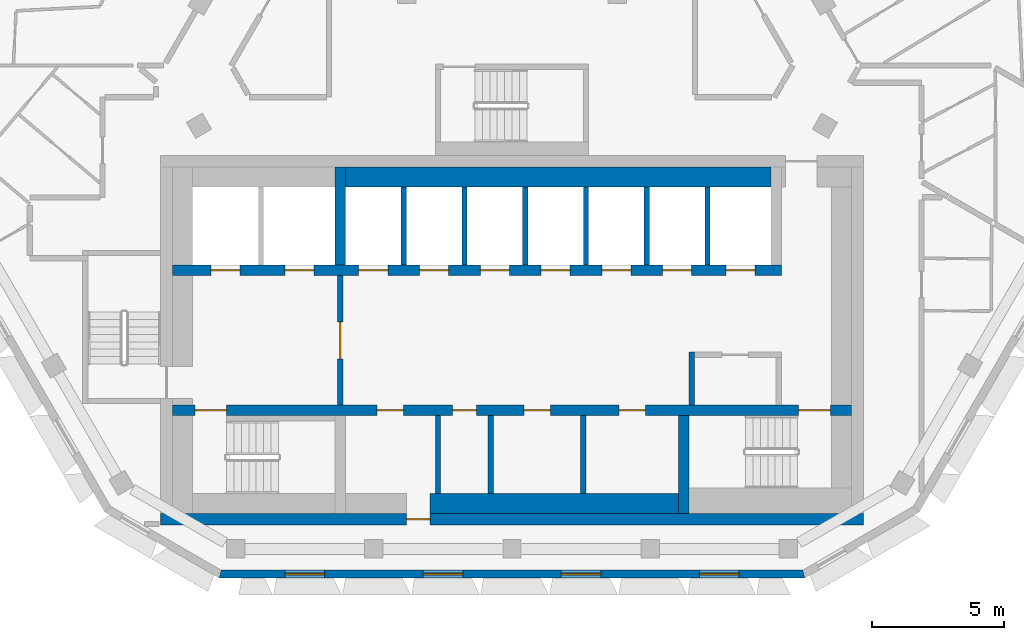
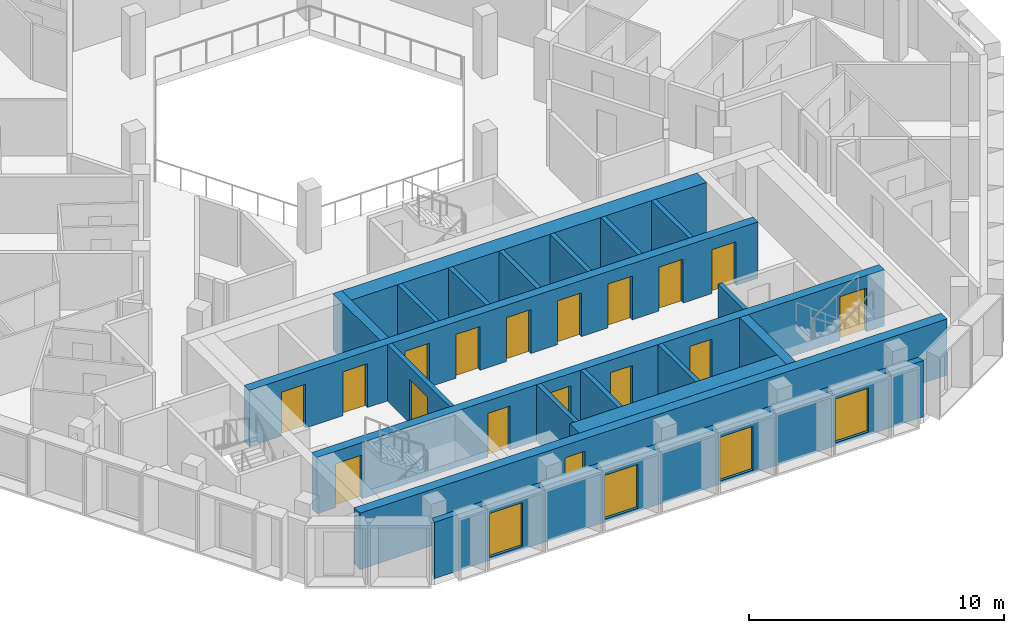
# One storey, part 3 of 15: 19 walls, 17 doors, 4 windows, 21 openings.
"""IFC4 building model written with IfcOpenShell, lengths in metres."""

from ifc_helpers import new_model, si_unit, direction, frame, frame_2d, origin, place, context, subcontext, project, spatial, polyline, rectangle, outline, extrude, material, layer, layer_set, type_object, element, fill, save


model = new_model("IFC4")

# Units and contexts
model_context = context("Model", 3, precision=1e-05, world=origin(), true_north=direction((0.0, 1.0)))
body_context = subcontext(model_context, "Body", "Model", "MODEL_VIEW")
ifc_project = project(units=[si_unit("LENGTHUNIT", "METRE"), si_unit("AREAUNIT", "SQUARE_METRE"), si_unit("VOLUMEUNIT", "CUBIC_METRE"), si_unit("PLANEANGLEUNIT", "RADIAN"), si_unit("MASSUNIT", "GRAM", prefix="KILO")], contexts=[model_context])

# Site, building, storey
site_placement = place(None, origin())
site = spatial("IfcSite", under=ifc_project, at=site_placement, CompositionType="ELEMENT")
building_placement = place(site_placement, origin())
building = spatial("IfcBuilding", under=site, at=building_placement, Name="Beryl Residences", CompositionType="ELEMENT")
storey_placement = place(building_placement, frame((0.0, 0.0, 217.800048828125)))
storey = spatial("IfcBuildingStorey", under=building, at=storey_placement, Name="L67", CompositionType="ELEMENT", Elevation=217.800048828125)

# Wall, openings, windows
ifc_material_1 = material(Name="Composite metal panel with mineral wool insulation")
ifc_layer_1 = layer(ifc_material_1, 0.300048828125)
ifc_layer_set_1 = layer_set([ifc_layer_1], Name="ES1 pale metal composite panel wall 300 mm")
wall_type_1 = type_object("IfcWallType", Name="ES1 pale metal composite panel wall 300 mm", PredefinedType="SOLIDWALL", material=ifc_layer_set_1)
wall_1_placement = place(storey_placement, frame((-11.0849609375, -20.85009765625, 0.0), z_axis=(0.0, 0.0, 1.0), x_axis=(1.0, 0.0, 0.0)))
wall_1 = element("IfcWall", 1, at=wall_1_placement, inside=storey, type_object=wall_type_1, Name="ES1 external wall L67 S", PredefinedType="SOLIDWALL", context=body_context, shape_type="SweptSolid", body=[
    extrude(outline(polyline([(0.0, -0.14990234375), (22.169921875, -0.14990234375), (22.089599609375, 0.14990234375), (0.080322265625, 0.14990234375), (0.0, -0.14990234375)])), origin(), (0.0, 0.0, 1.0), 2.699951171875),
])
opening_1_placement = place(wall_1_placement, frame((2.498046875, 0.0, 0.14990234375)))
opening_1 = element("IfcOpeningElement", 2, at=opening_1_placement, cuts=wall_1, Name="Opening W1", PredefinedType="OPENING", context=body_context, shape_type="SweptSolid", body=[
    extrude(rectangle(XDim=1.5, YDim=2.10009765625, at=frame_2d((0.75, 1.050048828125))), frame((0.0, 0.159912109375, 0.0), z_axis=(0.0, -1.0, 0.0), x_axis=(1.0, 0.0, 0.0)), (0.0, 0.0, 1.0), 0.320068359375),
])
opening_2_placement = place(wall_1_placement, frame((7.722900390625, 0.0, 0.14990234375)))
opening_2 = element("IfcOpeningElement", 3, at=opening_2_placement, cuts=wall_1, Name="Opening W1", PredefinedType="OPENING", context=body_context, shape_type="SweptSolid", body=[
    extrude(rectangle(XDim=1.5, YDim=2.10009765625, at=frame_2d((0.75, 1.050048828125))), frame((0.0, 0.159912109375, 0.0), z_axis=(0.0, -1.0, 0.0), x_axis=(1.0, 0.0, 0.0)), (0.0, 0.0, 1.0), 0.320068359375),
])
opening_3_placement = place(wall_1_placement, frame((12.947021484375, 0.0, 0.14990234375)))
opening_3 = element("IfcOpeningElement", 4, at=opening_3_placement, cuts=wall_1, Name="Opening W1", PredefinedType="OPENING", context=body_context, shape_type="SweptSolid", body=[
    extrude(rectangle(XDim=1.5, YDim=2.10009765625, at=frame_2d((0.75, 1.050048828125))), frame((0.0, 0.159912109375, 0.0), z_axis=(0.0, -1.0, 0.0), x_axis=(1.0, 0.0, 0.0)), (0.0, 0.0, 1.0), 0.320068359375),
])
opening_4_placement = place(wall_1_placement, frame((18.172119140625, 0.0, 0.14990234375)))
opening_4 = element("IfcOpeningElement", 5, at=opening_4_placement, cuts=wall_1, Name="Opening W1", PredefinedType="OPENING", context=body_context, shape_type="SweptSolid", body=[
    extrude(rectangle(XDim=1.5, YDim=2.10009765625, at=frame_2d((0.75, 1.050048828125))), frame((0.0, 0.159912109375, 0.0), z_axis=(0.0, -1.0, 0.0), x_axis=(1.0, 0.0, 0.0)), (0.0, 0.0, 1.0), 0.320068359375),
])
ifc_material_2 = material(Name="Aluminium and clear glass", Category="aluminium")
window_type = type_object("IfcWindowType", Name="W1 cell window 1500 x 2100 mm", PartitioningType="SINGLE_PANEL", PredefinedType="WINDOW", material=ifc_material_2)
window_1_placement = place(opening_1_placement, origin())
window_1 = element("IfcWindow", 6, at=window_1_placement, inside=storey, type_object=window_type, Name="W1 window L67 S 2", OverallHeight=2.10009765625, OverallWidth=1.5, PartitioningType="SINGLE_PANEL", PredefinedType="WINDOW", context=body_context, shape_type="SweptSolid", body=[
    extrude(rectangle(XDim=1.5, YDim=2.10009765625, at=frame_2d((0.75, 1.050048828125))), frame((0.0, 0.030029296875, 0.0), z_axis=(0.0, -1.0, 0.0), x_axis=(1.0, 0.0, 0.0)), (0.0, 0.0, 1.0), 0.06005859375),
])
fill(opening_1, window_1)
window_2_placement = place(opening_2_placement, origin())
window_2 = element("IfcWindow", 7, at=window_2_placement, inside=storey, type_object=window_type, Name="W1 window L67 S 4", OverallHeight=2.10009765625, OverallWidth=1.5, PartitioningType="SINGLE_PANEL", PredefinedType="WINDOW", context=body_context, shape_type="SweptSolid", body=[
    extrude(rectangle(XDim=1.5, YDim=2.10009765625, at=frame_2d((0.75, 1.050048828125))), frame((0.0, 0.030029296875, 0.0), z_axis=(0.0, -1.0, 0.0), x_axis=(1.0, 0.0, 0.0)), (0.0, 0.0, 1.0), 0.06005859375),
])
fill(opening_2, window_2)
window_3_placement = place(opening_3_placement, origin())
window_3 = element("IfcWindow", 8, at=window_3_placement, inside=storey, type_object=window_type, Name="W1 window L67 S 6", OverallHeight=2.10009765625, OverallWidth=1.5, PartitioningType="SINGLE_PANEL", PredefinedType="WINDOW", context=body_context, shape_type="SweptSolid", body=[
    extrude(rectangle(XDim=1.5, YDim=2.10009765625, at=frame_2d((0.75, 1.050048828125))), frame((0.0, 0.030029296875, 0.0), z_axis=(0.0, -1.0, 0.0), x_axis=(1.0, 0.0, 0.0)), (0.0, 0.0, 1.0), 0.06005859375),
])
fill(opening_3, window_3)
window_4_placement = place(opening_4_placement, origin())
window_4 = element("IfcWindow", 9, at=window_4_placement, inside=storey, type_object=window_type, Name="W1 window L67 S 8", OverallHeight=2.10009765625, OverallWidth=1.5, PartitioningType="SINGLE_PANEL", PredefinedType="WINDOW", context=body_context, shape_type="SweptSolid", body=[
    extrude(rectangle(XDim=1.5, YDim=2.10009765625, at=frame_2d((0.75, 1.050048828125))), frame((0.0, 0.030029296875, 0.0), z_axis=(0.0, -1.0, 0.0), x_axis=(1.0, 0.0, 0.0)), (0.0, 0.0, 1.0), 0.06005859375),
])
fill(opening_4, window_4)

# Wall, opening, door
ifc_material_3 = material(Name="Concrete masonry", Category="masonry")
ifc_layer_2 = layer(ifc_material_3, 0.199951171875)
ifc_layer_set_2 = layer_set([ifc_layer_2], Name="PT13 lobby wall 200 mm")
wall_type_2 = type_object("IfcWallType", Name="PT13 lobby wall 200 mm", PredefinedType="PARTITIONING", material=ifc_layer_set_2)
wall_2_placement = place(storey_placement, frame((-6.5, -14.449951171875, 0.0), z_axis=(0.0, 0.0, 1.0), x_axis=(0.0, 1.0, 0.0)))
wall_2 = element("IfcWall", 10, at=wall_2_placement, inside=storey, type_object=wall_type_2, Name="Lobby wall 12", PredefinedType="PARTITIONING", context=body_context, shape_type="SweptSolid", body=[
    extrude(rectangle(XDim=4.89990234375, YDim=0.199951171875, at=frame_2d((2.449951171875, 0.0))), origin(), (0.0, 0.0, 1.0), 2.699951171875),
])
opening_5_placement = place(wall_2_placement, frame((3.14990234375, 0.0, 0.0), z_axis=(0.0, 0.0, 1.0), x_axis=(-1.0, 0.0, 0.0)))
opening_5 = element("IfcOpeningElement", 11, at=opening_5_placement, cuts=wall_2, Name="Opening FD-FFL", PredefinedType="OPENING", context=body_context, shape_type="SweptSolid", body=[
    extrude(rectangle(XDim=1.39990234375, YDim=2.10009765625, at=frame_2d((0.699951171875, 1.050048828125))), frame((0.0, 0.10986328125, 0.0), z_axis=(0.0, -1.0, 0.0), x_axis=(1.0, 0.0, 0.0)), (0.0, 0.0, 1.0), 0.219970703125),
])
ifc_material_4 = material(Name="Steel door leaf in steel frame", Category="steel")
door_type_1 = type_object("IfcDoorType", Name="D5 lobby door 1400 x 2100 mm", OperationType="DOUBLE_DOOR_SINGLE_SWING", PredefinedType="DOOR", material=ifc_material_4)
door_1_placement = place(opening_5_placement, origin())
door_1 = element("IfcDoor", 12, at=door_1_placement, inside=storey, type_object=door_type_1, Name="Door FD-FFL L67 001", OperationType="DOUBLE_DOOR_SINGLE_SWING", OverallHeight=2.10009765625, OverallWidth=1.39990234375, PredefinedType="DOOR", context=body_context, shape_type="SweptSolid", body=[
    extrude(rectangle(XDim=1.39990234375, YDim=2.10009765625, at=frame_2d((0.699951171875, 1.050048828125))), frame((0.0, 0.02490234375, 0.0), z_axis=(0.0, -1.0, 0.0), x_axis=(1.0, 0.0, 0.0)), (0.0, 0.0, 1.0), 0.050048828125),
])
fill(opening_5, door_1)

# Walls
wall_3_placement = place(storey_placement, frame((6.800048828125, -14.449951171875, 0.0), z_axis=(0.0, 0.0, 1.0), x_axis=(0.0, 1.0, 0.0)))
element("IfcWall", 13, at=wall_3_placement, inside=storey, type_object=wall_type_2, Name="Lobby wall 25", PredefinedType="PARTITIONING", context=body_context, shape_type="SweptSolid", body=[
    extrude(rectangle(XDim=2.0, YDim=0.199951171875, at=frame_2d((1.0, 0.0))), origin(), (0.0, 0.0, 1.0), 2.699951171875),
])
ifc_material_5 = material(Name="Concrete C40/50", Category="concrete")
ifc_layer_3 = layer(ifc_material_5, 0.199951171875)
ifc_layer_set_3 = layer_set([ifc_layer_3], Name="PT6 lift shaft wall 200 mm reinforced concrete C40/50")
wall_type_3 = type_object("IfcWallType", Name="PT6 lift shaft wall 200 mm reinforced concrete C40/50", PredefinedType="SOLIDWALL", material=ifc_layer_set_3)
for number, where, z_axis, x_axis, name in (
    (14, (-4.10009765625, -9.14990234375, 0.0), (0.0, 0.0, 1.0), (0.0, 1.0, 0.0), "Lift shaft wall 15"),
    (15, (-1.800048828125, -9.14990234375, 0.0), (0.0, 0.0, 1.0), (0.0, 1.0, 0.0), "Lift shaft wall 18"),
    (16, (0.5, -9.14990234375, 0.0), (0.0, 0.0, 1.0), (0.0, 1.0, 0.0), "Lift shaft wall 20"),
    (17, (2.800048828125, -9.14990234375, 0.0), (0.0, 0.0, 1.0), (0.0, 1.0, 0.0), "Lift shaft wall 22"),
    (18, (5.10009765625, -9.14990234375, 0.0), (0.0, 0.0, 1.0), (0.0, 1.0, 0.0), "Lift shaft wall 23"),
    (19, (7.39990234375, -9.14990234375, 0.0), (0.0, 0.0, 1.0), (0.0, 1.0, 0.0), "Lift shaft wall 27"),
):
    element("IfcWall", number, at=place(storey_placement, frame(where, z_axis=z_axis, x_axis=x_axis)), inside=storey, type_object=wall_type_3, Name=name, PredefinedType="SOLIDWALL", context=body_context, shape_type="SweptSolid", body=[
        extrude(rectangle(XDim=2.949951171875, YDim=0.199951171875, at=frame_2d((1.47509765625, 0.0))), origin(), (0.0, 0.0, 1.0), 2.699951171875),
    ])
ifc_material_6 = material(Name="Concrete C40/50", Category="concrete")
ifc_layer_4 = layer(ifc_material_6, 0.75)
ifc_layer_set_4 = layer_set([ifc_layer_4], Name="PT6-750 lift shaft wall 750 mm")
wall_type_4 = type_object("IfcWallType", Name="PT6-750 lift shaft wall 750 mm", PredefinedType="SOLIDWALL", material=ifc_layer_set_4)
wall_4_placement = place(storey_placement, frame((-6.300048828125, -5.824951171875, 0.0), z_axis=(0.0, 0.0, 1.0), x_axis=(1.0, 0.0, 0.0)))
element("IfcWall", 20, at=wall_4_placement, inside=storey, type_object=wall_type_4, Name="Lift shaft wall 14", PredefinedType="SOLIDWALL", context=body_context, shape_type="SweptSolid", body=[
    extrude(rectangle(XDim=16.10009765625, YDim=0.75, at=frame_2d((8.050048828125, 0.0))), origin(), (0.0, 0.0, 1.0), 2.699951171875),
])
ifc_material_7 = material(Name="Concrete masonry", Category="masonry")
ifc_layer_5 = layer(ifc_material_7, 0.199951171875)
ifc_layer_set_5 = layer_set([ifc_layer_5], Name="PT8-200 service room wall 200 mm")
wall_type_5 = type_object("IfcWallType", Name="PT8-200 service room wall 200 mm", PredefinedType="PARTITIONING", material=ifc_layer_set_5)
for number, where, z_axis, x_axis, name in (
    (21, (-2.800048828125, -17.800048828125, 0.0), (0.0, 0.0, 1.0), (0.0, 1.0, 0.0), "Core room wall 17"),
    (22, (-0.800048828125, -17.800048828125, 0.0), (0.0, 0.0, 1.0), (0.0, 1.0, 0.0), "Core room wall 19"),
    (23, (2.699951171875, -17.800048828125, 0.0), (0.0, 0.0, 1.0), (0.0, 1.0, 0.0), "Core room wall 21"),
):
    element("IfcWall", number, at=place(storey_placement, frame(where, z_axis=z_axis, x_axis=x_axis)), inside=storey, type_object=wall_type_5, Name=name, PredefinedType="PARTITIONING", context=body_context, shape_type="SweptSolid", body=[
        extrude(rectangle(XDim=2.949951171875, YDim=0.199951171875, at=frame_2d((1.47509765625, 0.0))), origin(), (0.0, 0.0, 1.0), 2.699951171875),
    ])
ifc_material_8 = material(Name="Concrete masonry", Category="masonry")
ifc_layer_6 = layer(ifc_material_8, 0.75)
ifc_layer_set_6 = layer_set([ifc_layer_6], Name="PT8-750 service room wall 750 mm")
wall_type_6 = type_object("IfcWallType", Name="PT8-750 service room wall 750 mm", PredefinedType="PARTITIONING", material=ifc_layer_set_6)
wall_5_placement = place(storey_placement, frame((-3.10009765625, -18.175048828125, 0.0), z_axis=(0.0, 0.0, 1.0), x_axis=(1.0, 0.0, 0.0)))
element("IfcWall", 24, at=wall_5_placement, inside=storey, type_object=wall_type_6, Name="Core room wall 16", PredefinedType="PARTITIONING", context=body_context, shape_type="SweptSolid", body=[
    extrude(rectangle(XDim=9.400146484375, YDim=0.75, at=frame_2d((4.7001953125, 0.0))), origin(), (0.0, 0.0, 1.0), 2.699951171875),
])

# Wall, openings, doors
ifc_material_9 = material(Name="Concrete C50/60", Category="concrete")
ifc_layer_7 = layer(ifc_material_9, 0.39990234375)
ifc_layer_set_7 = layer_set([ifc_layer_7], Name="SW10 core internal wall 400 mm C50/60")
wall_type_7 = type_object("IfcWallType", Name="SW10 core internal wall 400 mm C50/60", PredefinedType="SHEAR", material=ifc_layer_set_7)
wall_6_placement = place(storey_placement, frame((-12.85009765625, -14.64990234375, 0.0), z_axis=(0.0, 0.0, 1.0), x_axis=(1.0, 0.0, 0.0)))
wall_6 = element("IfcWall", 25, at=wall_6_placement, inside=storey, type_object=wall_type_7, Name="Core wall SP1 L67", PredefinedType="SHEAR", context=body_context, shape_type="SweptSolid", body=[
    extrude(rectangle(XDim=25.7001953125, YDim=0.39990234375, at=frame_2d((12.85009765625, 0.0))), origin(), (0.0, 0.0, 1.0), 2.699951171875),
])
opening_6_placement = place(wall_6_placement, frame((2.050048828125, 0.0, 0.0), z_axis=(0.0, 0.0, 1.0), x_axis=(-1.0, 0.0, 0.0)))
opening_6 = element("IfcOpeningElement", 26, at=opening_6_placement, cuts=wall_6, Name="Opening SD-1", PredefinedType="OPENING", context=body_context, shape_type="SweptSolid", body=[
    extrude(rectangle(XDim=1.199951171875, YDim=2.10009765625, at=frame_2d((0.60009765625, 1.050048828125))), frame((0.0, 0.2099609375, 0.0), z_axis=(0.0, -1.0, 0.0), x_axis=(1.0, 0.0, 0.0)), (0.0, 0.0, 1.0), 0.419921875),
])
opening_7_placement = place(wall_6_placement, frame((24.89990234375, 0.0, 0.0), z_axis=(0.0, 0.0, 1.0), x_axis=(-1.0, 0.0, 0.0)))
opening_7 = element("IfcOpeningElement", 27, at=opening_7_placement, cuts=wall_6, Name="Opening SD-3", PredefinedType="OPENING", context=body_context, shape_type="SweptSolid", body=[
    extrude(rectangle(XDim=1.199951171875, YDim=2.10009765625, at=frame_2d((0.60009765625, 1.050048828125))), frame((0.0, 0.2099609375, 0.0), z_axis=(0.0, -1.0, 0.0), x_axis=(1.0, 0.0, 0.0)), (0.0, 0.0, 1.0), 0.419921875),
])
opening_8_placement = place(wall_6_placement, frame((8.75, 0.0, 0.0), z_axis=(0.0, 0.0, 1.0), x_axis=(-1.0, 0.0, 0.0)))
opening_8 = element("IfcOpeningElement", 28, at=opening_8_placement, cuts=wall_6, Name="Opening CD-D-S1", PredefinedType="OPENING", context=body_context, shape_type="SweptSolid", body=[
    extrude(rectangle(XDim=1.0, YDim=2.10009765625, at=frame_2d((0.5, 1.050048828125))), frame((0.0, 0.2099609375, 0.0), z_axis=(0.0, -1.0, 0.0), x_axis=(1.0, 0.0, 0.0)), (0.0, 0.0, 1.0), 0.419921875),
])
opening_9_placement = place(wall_6_placement, frame((11.5, 0.0, 0.0), z_axis=(0.0, 0.0, 1.0), x_axis=(-1.0, 0.0, 0.0)))
opening_9 = element("IfcOpeningElement", 29, at=opening_9_placement, cuts=wall_6, Name="Opening CD-D-S2-900", PredefinedType="OPENING", context=body_context, shape_type="SweptSolid", body=[
    extrude(rectangle(XDim=0.89990234375, YDim=2.10009765625, at=frame_2d((0.449951171875, 1.050048828125))), frame((0.0, 0.2099609375, 0.0), z_axis=(0.0, -1.0, 0.0), x_axis=(1.0, 0.0, 0.0)), (0.0, 0.0, 1.0), 0.419921875),
])
opening_10_placement = place(wall_6_placement, frame((14.300048828125, 0.0, 0.0), z_axis=(0.0, 0.0, 1.0), x_axis=(-1.0, 0.0, 0.0)))
opening_10 = element("IfcOpeningElement", 30, at=opening_10_placement, cuts=wall_6, Name="Opening CD-D-S3", PredefinedType="OPENING", context=body_context, shape_type="SweptSolid", body=[
    extrude(rectangle(XDim=1.0, YDim=2.10009765625, at=frame_2d((0.5, 1.050048828125))), frame((0.0, 0.2099609375, 0.0), z_axis=(0.0, -1.0, 0.0), x_axis=(1.0, 0.0, 0.0)), (0.0, 0.0, 1.0), 0.419921875),
])
opening_11_placement = place(wall_6_placement, frame((17.89990234375, 0.0, 0.0), z_axis=(0.0, 0.0, 1.0), x_axis=(-1.0, 0.0, 0.0)))
opening_11 = element("IfcOpeningElement", 31, at=opening_11_placement, cuts=wall_6, Name="Opening CD-D-S4", PredefinedType="OPENING", context=body_context, shape_type="SweptSolid", body=[
    extrude(rectangle(XDim=1.0, YDim=2.10009765625, at=frame_2d((0.5, 1.050048828125))), frame((0.0, 0.2099609375, 0.0), z_axis=(0.0, -1.0, 0.0), x_axis=(1.0, 0.0, 0.0)), (0.0, 0.0, 1.0), 0.419921875),
])
ifc_material_10 = material(Name="Steel door leaf in steel frame", Category="steel")
door_type_2 = type_object("IfcDoorType", Name="D18 service room door 1000 x 2100 mm", OperationType="SINGLE_SWING_LEFT", PredefinedType="DOOR", material=ifc_material_10)
door_2_placement = place(opening_8_placement, origin())
door_2 = element("IfcDoor", 32, at=door_2_placement, inside=storey, type_object=door_type_2, Name="Door CD-D-S1 L67 001", OperationType="SINGLE_SWING_RIGHT", OverallHeight=2.10009765625, OverallWidth=1.0, PredefinedType="DOOR", context=body_context, shape_type="SweptSolid", body=[
    extrude(rectangle(XDim=1.0, YDim=2.10009765625, at=frame_2d((0.5, 1.050048828125))), frame((0.0, 0.02490234375, 0.0), z_axis=(0.0, -1.0, 0.0), x_axis=(1.0, 0.0, 0.0)), (0.0, 0.0, 1.0), 0.050048828125),
])
fill(opening_8, door_2)
door_3_placement = place(opening_10_placement, origin())
door_3 = element("IfcDoor", 33, at=door_3_placement, inside=storey, type_object=door_type_2, Name="Door CD-D-S3 L67 001", OperationType="SINGLE_SWING_RIGHT", OverallHeight=2.10009765625, OverallWidth=1.0, PredefinedType="DOOR", context=body_context, shape_type="SweptSolid", body=[
    extrude(rectangle(XDim=1.0, YDim=2.10009765625, at=frame_2d((0.5, 1.050048828125))), frame((0.0, 0.02490234375, 0.0), z_axis=(0.0, -1.0, 0.0), x_axis=(1.0, 0.0, 0.0)), (0.0, 0.0, 1.0), 0.050048828125),
])
fill(opening_10, door_3)
door_4_placement = place(opening_11_placement, origin())
door_4 = element("IfcDoor", 34, at=door_4_placement, inside=storey, type_object=door_type_2, Name="Door CD-D-S4 L67 001", OperationType="SINGLE_SWING_LEFT", OverallHeight=2.10009765625, OverallWidth=1.0, PredefinedType="DOOR", context=body_context, shape_type="SweptSolid", body=[
    extrude(rectangle(XDim=1.0, YDim=2.10009765625, at=frame_2d((0.5, 1.050048828125))), frame((0.0, 0.02490234375, 0.0), z_axis=(0.0, -1.0, 0.0), x_axis=(1.0, 0.0, 0.0)), (0.0, 0.0, 1.0), 0.050048828125),
])
fill(opening_11, door_4)
ifc_material_11 = material(Name="Steel door leaf in steel frame", Category="steel")
door_type_3 = type_object("IfcDoorType", Name="D4 stair door 1200 x 2100 mm", OperationType="SINGLE_SWING_LEFT", PredefinedType="DOOR", material=ifc_material_11)
door_5_placement = place(opening_6_placement, origin())
door_5 = element("IfcDoor", 35, at=door_5_placement, inside=storey, type_object=door_type_3, Name="Door SD-1 L67 001", OperationType="SINGLE_SWING_RIGHT", OverallHeight=2.10009765625, OverallWidth=1.199951171875, PredefinedType="DOOR", context=body_context, shape_type="SweptSolid", body=[
    extrude(rectangle(XDim=1.199951171875, YDim=2.10009765625, at=frame_2d((0.60009765625, 1.050048828125))), frame((0.0, 0.02490234375, 0.0), z_axis=(0.0, -1.0, 0.0), x_axis=(1.0, 0.0, 0.0)), (0.0, 0.0, 1.0), 0.050048828125),
])
fill(opening_6, door_5)
door_6_placement = place(opening_7_placement, origin())
door_6 = element("IfcDoor", 36, at=door_6_placement, inside=storey, type_object=door_type_3, Name="Door SD-3 L67 001", OperationType="SINGLE_SWING_RIGHT", OverallHeight=2.10009765625, OverallWidth=1.199951171875, PredefinedType="DOOR", context=body_context, shape_type="SweptSolid", body=[
    extrude(rectangle(XDim=1.199951171875, YDim=2.10009765625, at=frame_2d((0.60009765625, 1.050048828125))), frame((0.0, 0.02490234375, 0.0), z_axis=(0.0, -1.0, 0.0), x_axis=(1.0, 0.0, 0.0)), (0.0, 0.0, 1.0), 0.050048828125),
])
fill(opening_7, door_6)
ifc_material_12 = material(Name="Steel door leaf in steel frame", Category="steel")
door_type_4 = type_object("IfcDoorType", Name="D6 service room door 900 x 2100 mm", OperationType="SINGLE_SWING_LEFT", PredefinedType="DOOR", material=ifc_material_12)
door_7_placement = place(opening_9_placement, origin())
door_7 = element("IfcDoor", 37, at=door_7_placement, inside=storey, type_object=door_type_4, Name="Door CD-D-S2-900 L67 001", OperationType="SINGLE_SWING_LEFT", OverallHeight=2.10009765625, OverallWidth=0.89990234375, PredefinedType="DOOR", context=body_context, shape_type="SweptSolid", body=[
    extrude(rectangle(XDim=0.89990234375, YDim=2.10009765625, at=frame_2d((0.449951171875, 1.050048828125))), frame((0.0, 0.02490234375, 0.0), z_axis=(0.0, -1.0, 0.0), x_axis=(1.0, 0.0, 0.0)), (0.0, 0.0, 1.0), 0.050048828125),
])
fill(opening_9, door_7)

wall_7_placement = place(storey_placement, frame((-12.85009765625, -9.35009765625, 0.0), z_axis=(0.0, 0.0, 1.0), x_axis=(1.0, 0.0, 0.0)))
wall_7 = element("IfcWall", 38, at=wall_7_placement, inside=storey, type_object=wall_type_7, Name="Core wall SP2 L67", PredefinedType="SHEAR", context=body_context, shape_type="SweptSolid", body=[
    extrude(rectangle(XDim=23.050048828125, YDim=0.39990234375, at=frame_2d((11.52490234375, 0.0))), origin(), (0.0, 0.0, 1.0), 2.699951171875),
])
opening_12_placement = place(wall_7_placement, frame((1.449951171875, 0.0, 0.0)))
opening_12 = element("IfcOpeningElement", 39, at=opening_12_placement, cuts=wall_7, Name="Opening LD-FF1", PredefinedType="OPENING", context=body_context, shape_type="SweptSolid", body=[
    extrude(rectangle(XDim=1.10009765625, YDim=2.10009765625, at=frame_2d((0.550048828125, 1.050048828125))), frame((0.0, 0.2099609375, 0.0), z_axis=(0.0, -1.0, 0.0), x_axis=(1.0, 0.0, 0.0)), (0.0, 0.0, 1.0), 0.419921875),
])
opening_13_placement = place(wall_7_placement, frame((4.25, 0.0, 0.0)))
opening_13 = element("IfcOpeningElement", 40, at=opening_13_placement, cuts=wall_7, Name="Opening LD-FF2", PredefinedType="OPENING", context=body_context, shape_type="SweptSolid", body=[
    extrude(rectangle(XDim=1.10009765625, YDim=2.10009765625, at=frame_2d((0.550048828125, 1.050048828125))), frame((0.0, 0.2099609375, 0.0), z_axis=(0.0, -1.0, 0.0), x_axis=(1.0, 0.0, 0.0)), (0.0, 0.0, 1.0), 0.419921875),
])
opening_14_placement = place(wall_7_placement, frame((7.050048828125, 0.0, 0.0)))
opening_14 = element("IfcOpeningElement", 41, at=opening_14_placement, cuts=wall_7, Name="Opening LD-HR1", PredefinedType="OPENING", context=body_context, shape_type="SweptSolid", body=[
    extrude(rectangle(XDim=1.10009765625, YDim=2.10009765625, at=frame_2d((0.550048828125, 1.050048828125))), frame((0.0, 0.2099609375, 0.0), z_axis=(0.0, -1.0, 0.0), x_axis=(1.0, 0.0, 0.0)), (0.0, 0.0, 1.0), 0.419921875),
])
opening_15_placement = place(wall_7_placement, frame((9.35009765625, 0.0, 0.0)))
opening_15 = element("IfcOpeningElement", 42, at=opening_15_placement, cuts=wall_7, Name="Opening LD-HR2", PredefinedType="OPENING", context=body_context, shape_type="SweptSolid", body=[
    extrude(rectangle(XDim=1.10009765625, YDim=2.10009765625, at=frame_2d((0.550048828125, 1.050048828125))), frame((0.0, 0.2099609375, 0.0), z_axis=(0.0, -1.0, 0.0), x_axis=(1.0, 0.0, 0.0)), (0.0, 0.0, 1.0), 0.419921875),
])
opening_16_placement = place(wall_7_placement, frame((11.64990234375, 0.0, 0.0)))
opening_16 = element("IfcOpeningElement", 43, at=opening_16_placement, cuts=wall_7, Name="Opening LD-HR3", PredefinedType="OPENING", context=body_context, shape_type="SweptSolid", body=[
    extrude(rectangle(XDim=1.10009765625, YDim=2.10009765625, at=frame_2d((0.550048828125, 1.050048828125))), frame((0.0, 0.2099609375, 0.0), z_axis=(0.0, -1.0, 0.0), x_axis=(1.0, 0.0, 0.0)), (0.0, 0.0, 1.0), 0.419921875),
])
opening_17_placement = place(wall_7_placement, frame((13.949951171875, 0.0, 0.0)))
opening_17 = element("IfcOpeningElement", 44, at=opening_17_placement, cuts=wall_7, Name="Opening LD-HR4", PredefinedType="OPENING", context=body_context, shape_type="SweptSolid", body=[
    extrude(rectangle(XDim=1.10009765625, YDim=2.10009765625, at=frame_2d((0.550048828125, 1.050048828125))), frame((0.0, 0.2099609375, 0.0), z_axis=(0.0, -1.0, 0.0), x_axis=(1.0, 0.0, 0.0)), (0.0, 0.0, 1.0), 0.419921875),
])
opening_18_placement = place(wall_7_placement, frame((16.25, 0.0, 0.0)))
opening_18 = element("IfcOpeningElement", 45, at=opening_18_placement, cuts=wall_7, Name="Opening LD-HR5", PredefinedType="OPENING", context=body_context, shape_type="SweptSolid", body=[
    extrude(rectangle(XDim=1.10009765625, YDim=2.10009765625, at=frame_2d((0.550048828125, 1.050048828125))), frame((0.0, 0.2099609375, 0.0), z_axis=(0.0, -1.0, 0.0), x_axis=(1.0, 0.0, 0.0)), (0.0, 0.0, 1.0), 0.419921875),
])
opening_19_placement = place(wall_7_placement, frame((18.550048828125, 0.0, 0.0)))
opening_19 = element("IfcOpeningElement", 46, at=opening_19_placement, cuts=wall_7, Name="Opening LD-HR6", PredefinedType="OPENING", context=body_context, shape_type="SweptSolid", body=[
    extrude(rectangle(XDim=1.10009765625, YDim=2.10009765625, at=frame_2d((0.550048828125, 1.050048828125))), frame((0.0, 0.2099609375, 0.0), z_axis=(0.0, -1.0, 0.0), x_axis=(1.0, 0.0, 0.0)), (0.0, 0.0, 1.0), 0.419921875),
])
opening_20_placement = place(wall_7_placement, frame((20.949951171875, 0.0, 0.0)))
opening_20 = element("IfcOpeningElement", 47, at=opening_20_placement, cuts=wall_7, Name="Opening LD-SL1", PredefinedType="OPENING", context=body_context, shape_type="SweptSolid", body=[
    extrude(rectangle(XDim=1.10009765625, YDim=2.10009765625, at=frame_2d((0.550048828125, 1.050048828125))), frame((0.0, 0.2099609375, 0.0), z_axis=(0.0, -1.0, 0.0), x_axis=(1.0, 0.0, 0.0)), (0.0, 0.0, 1.0), 0.419921875),
])
ifc_material_13 = material(Name="Stainless steel sliding door", Category="steel")
door_type_5 = type_object("IfcDoorType", Name="LD1 lift landing door 1100 x 2100 mm", OperationType="DOUBLE_DOOR_SLIDING", PredefinedType="DOOR", material=ifc_material_13)
door_8_placement = place(opening_12_placement, origin())
door_8 = element("IfcDoor", 48, at=door_8_placement, inside=storey, type_object=door_type_5, Name="Lift landing door FF1", OperationType="DOUBLE_DOOR_SLIDING", OverallHeight=2.10009765625, OverallWidth=1.10009765625, PredefinedType="DOOR", context=body_context, shape_type="SweptSolid", body=[
    extrude(rectangle(XDim=1.10009765625, YDim=2.10009765625, at=frame_2d((0.550048828125, 1.050048828125))), frame((0.0, 0.02490234375, 0.0), z_axis=(0.0, -1.0, 0.0), x_axis=(1.0, 0.0, 0.0)), (0.0, 0.0, 1.0), 0.050048828125),
])
fill(opening_12, door_8)
door_9_placement = place(opening_13_placement, origin())
door_9 = element("IfcDoor", 49, at=door_9_placement, inside=storey, type_object=door_type_5, Name="Lift landing door FF2", OperationType="DOUBLE_DOOR_SLIDING", OverallHeight=2.10009765625, OverallWidth=1.10009765625, PredefinedType="DOOR", context=body_context, shape_type="SweptSolid", body=[
    extrude(rectangle(XDim=1.10009765625, YDim=2.10009765625, at=frame_2d((0.550048828125, 1.050048828125))), frame((0.0, 0.02490234375, 0.0), z_axis=(0.0, -1.0, 0.0), x_axis=(1.0, 0.0, 0.0)), (0.0, 0.0, 1.0), 0.050048828125),
])
fill(opening_13, door_9)
door_10_placement = place(opening_14_placement, origin())
door_10 = element("IfcDoor", 50, at=door_10_placement, inside=storey, type_object=door_type_5, Name="Lift landing door HR1", OperationType="DOUBLE_DOOR_SLIDING", OverallHeight=2.10009765625, OverallWidth=1.10009765625, PredefinedType="DOOR", context=body_context, shape_type="SweptSolid", body=[
    extrude(rectangle(XDim=1.10009765625, YDim=2.10009765625, at=frame_2d((0.550048828125, 1.050048828125))), frame((0.0, 0.02490234375, 0.0), z_axis=(0.0, -1.0, 0.0), x_axis=(1.0, 0.0, 0.0)), (0.0, 0.0, 1.0), 0.050048828125),
])
fill(opening_14, door_10)
door_11_placement = place(opening_15_placement, origin())
door_11 = element("IfcDoor", 51, at=door_11_placement, inside=storey, type_object=door_type_5, Name="Lift landing door HR2", OperationType="DOUBLE_DOOR_SLIDING", OverallHeight=2.10009765625, OverallWidth=1.10009765625, PredefinedType="DOOR", context=body_context, shape_type="SweptSolid", body=[
    extrude(rectangle(XDim=1.10009765625, YDim=2.10009765625, at=frame_2d((0.550048828125, 1.050048828125))), frame((0.0, 0.02490234375, 0.0), z_axis=(0.0, -1.0, 0.0), x_axis=(1.0, 0.0, 0.0)), (0.0, 0.0, 1.0), 0.050048828125),
])
fill(opening_15, door_11)
door_12_placement = place(opening_16_placement, origin())
door_12 = element("IfcDoor", 52, at=door_12_placement, inside=storey, type_object=door_type_5, Name="Lift landing door HR3", OperationType="DOUBLE_DOOR_SLIDING", OverallHeight=2.10009765625, OverallWidth=1.10009765625, PredefinedType="DOOR", context=body_context, shape_type="SweptSolid", body=[
    extrude(rectangle(XDim=1.10009765625, YDim=2.10009765625, at=frame_2d((0.550048828125, 1.050048828125))), frame((0.0, 0.02490234375, 0.0), z_axis=(0.0, -1.0, 0.0), x_axis=(1.0, 0.0, 0.0)), (0.0, 0.0, 1.0), 0.050048828125),
])
fill(opening_16, door_12)
door_13_placement = place(opening_17_placement, origin())
door_13 = element("IfcDoor", 53, at=door_13_placement, inside=storey, type_object=door_type_5, Name="Lift landing door HR4", OperationType="DOUBLE_DOOR_SLIDING", OverallHeight=2.10009765625, OverallWidth=1.10009765625, PredefinedType="DOOR", context=body_context, shape_type="SweptSolid", body=[
    extrude(rectangle(XDim=1.10009765625, YDim=2.10009765625, at=frame_2d((0.550048828125, 1.050048828125))), frame((0.0, 0.02490234375, 0.0), z_axis=(0.0, -1.0, 0.0), x_axis=(1.0, 0.0, 0.0)), (0.0, 0.0, 1.0), 0.050048828125),
])
fill(opening_17, door_13)
door_14_placement = place(opening_18_placement, origin())
door_14 = element("IfcDoor", 54, at=door_14_placement, inside=storey, type_object=door_type_5, Name="Lift landing door HR5", OperationType="DOUBLE_DOOR_SLIDING", OverallHeight=2.10009765625, OverallWidth=1.10009765625, PredefinedType="DOOR", context=body_context, shape_type="SweptSolid", body=[
    extrude(rectangle(XDim=1.10009765625, YDim=2.10009765625, at=frame_2d((0.550048828125, 1.050048828125))), frame((0.0, 0.02490234375, 0.0), z_axis=(0.0, -1.0, 0.0), x_axis=(1.0, 0.0, 0.0)), (0.0, 0.0, 1.0), 0.050048828125),
])
fill(opening_18, door_14)
door_15_placement = place(opening_19_placement, origin())
door_15 = element("IfcDoor", 55, at=door_15_placement, inside=storey, type_object=door_type_5, Name="Lift landing door HR6", OperationType="DOUBLE_DOOR_SLIDING", OverallHeight=2.10009765625, OverallWidth=1.10009765625, PredefinedType="DOOR", context=body_context, shape_type="SweptSolid", body=[
    extrude(rectangle(XDim=1.10009765625, YDim=2.10009765625, at=frame_2d((0.550048828125, 1.050048828125))), frame((0.0, 0.02490234375, 0.0), z_axis=(0.0, -1.0, 0.0), x_axis=(1.0, 0.0, 0.0)), (0.0, 0.0, 1.0), 0.050048828125),
])
fill(opening_19, door_15)
door_16_placement = place(opening_20_placement, origin())
door_16 = element("IfcDoor", 56, at=door_16_placement, inside=storey, type_object=door_type_5, Name="Lift landing door SL1", OperationType="DOUBLE_DOOR_SLIDING", OverallHeight=2.10009765625, OverallWidth=1.10009765625, PredefinedType="DOOR", context=body_context, shape_type="SweptSolid", body=[
    extrude(rectangle(XDim=1.10009765625, YDim=2.10009765625, at=frame_2d((0.550048828125, 1.050048828125))), frame((0.0, 0.02490234375, 0.0), z_axis=(0.0, -1.0, 0.0), x_axis=(1.0, 0.0, 0.0)), (0.0, 0.0, 1.0), 0.050048828125),
])
fill(opening_20, door_16)

# Walls
for number, where, z_axis, x_axis, name in (
    (57, (6.5, -18.550048828125, 0.0), (0.0, 0.0, 1.0), (0.0, 1.0, 0.0), "Core wall XS2 L67"),
    (58, (-6.5, -9.14990234375, 0.0), (0.0, 0.0, 1.0), (0.0, 1.0, 0.0), "Core wall XN1 L67"),
):
    element("IfcWall", number, at=place(storey_placement, frame(where, z_axis=z_axis, x_axis=x_axis)), inside=storey, type_object=wall_type_7, Name=name, PredefinedType="SHEAR", context=body_context, shape_type="SweptSolid", body=[
        extrude(rectangle(XDim=3.699951171875, YDim=0.39990234375, at=frame_2d((1.85009765625, 0.0))), origin(), (0.0, 0.0, 1.0), 2.699951171875),
    ])

# Wall, opening, door
ifc_material_14 = material(Name="Concrete C50/60", Category="concrete")
ifc_layer_8 = layer(ifc_material_14, 0.449951171875)
ifc_layer_set_8 = layer_set([ifc_layer_8], Name="SW5 core outer wall 450 mm C50/60")
wall_type_8 = type_object("IfcWallType", Name="SW5 core outer wall 450 mm C50/60", PredefinedType="SHEAR", material=ifc_layer_set_8)
wall_8_placement = place(storey_placement, frame((-13.300048828125, -18.77490234375, 0.0), z_axis=(0.0, 0.0, 1.0), x_axis=(1.0, 0.0, 0.0)))
wall_8 = element("IfcWall", 59, at=wall_8_placement, inside=storey, type_object=wall_type_8, Name="Core wall S L67", PredefinedType="SHEAR", context=body_context, shape_type="SweptSolid", body=[
    extrude(rectangle(XDim=26.60009765625, YDim=0.449951171875, at=frame_2d((13.300048828125, 0.0))), origin(), (0.0, 0.0, 1.0), 2.699951171875),
])
opening_21_placement = place(wall_8_placement, frame((9.300048828125, 0.0, 0.0)))
opening_21 = element("IfcOpeningElement", 60, at=opening_21_placement, cuts=wall_8, Name="Opening RD-RS", PredefinedType="OPENING", context=body_context, shape_type="SweptSolid", body=[
    extrude(rectangle(XDim=0.89990234375, YDim=2.10009765625, at=frame_2d((0.449951171875, 1.050048828125))), frame((0.0, 0.23486328125, 0.0), z_axis=(0.0, -1.0, 0.0), x_axis=(1.0, 0.0, 0.0)), (0.0, 0.0, 1.0), 0.469970703125),
])
ifc_material_15 = material(Name="Steel door leaf in steel frame", Category="steel")
door_type_6 = type_object("IfcDoorType", Name="D23 riser door 900 x 2100 mm", OperationType="SINGLE_SWING_LEFT", PredefinedType="DOOR", material=ifc_material_15)
door_17_placement = place(opening_21_placement, origin())
door_17 = element("IfcDoor", 61, at=door_17_placement, inside=storey, type_object=door_type_6, Name="Door RD-RS L67 001", OperationType="SINGLE_SWING_RIGHT", OverallHeight=2.10009765625, OverallWidth=0.89990234375, PredefinedType="DOOR", context=body_context, shape_type="SweptSolid", body=[
    extrude(rectangle(XDim=0.89990234375, YDim=2.10009765625, at=frame_2d((0.449951171875, 1.050048828125))), frame((0.0, 0.02490234375, 0.0), z_axis=(0.0, -1.0, 0.0), x_axis=(1.0, 0.0, 0.0)), (0.0, 0.0, 1.0), 0.050048828125),
])
fill(opening_21, door_17)

save(model, "model.ifc")
